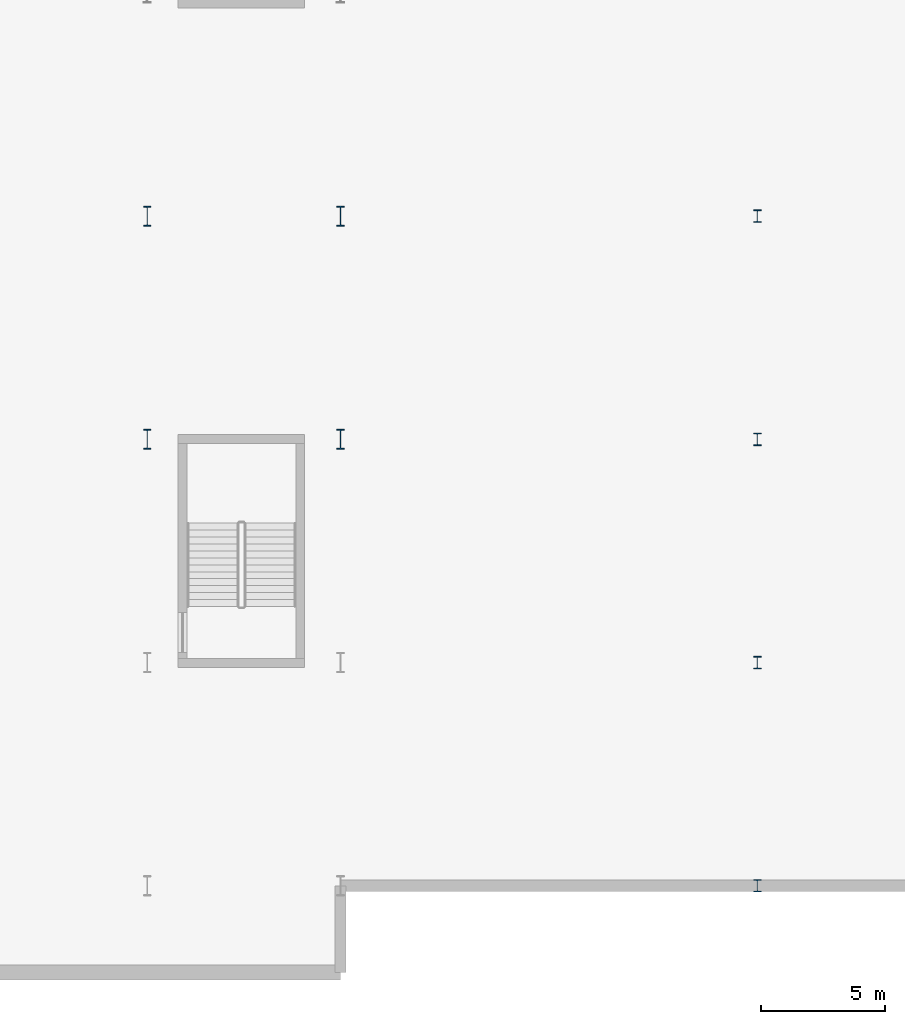
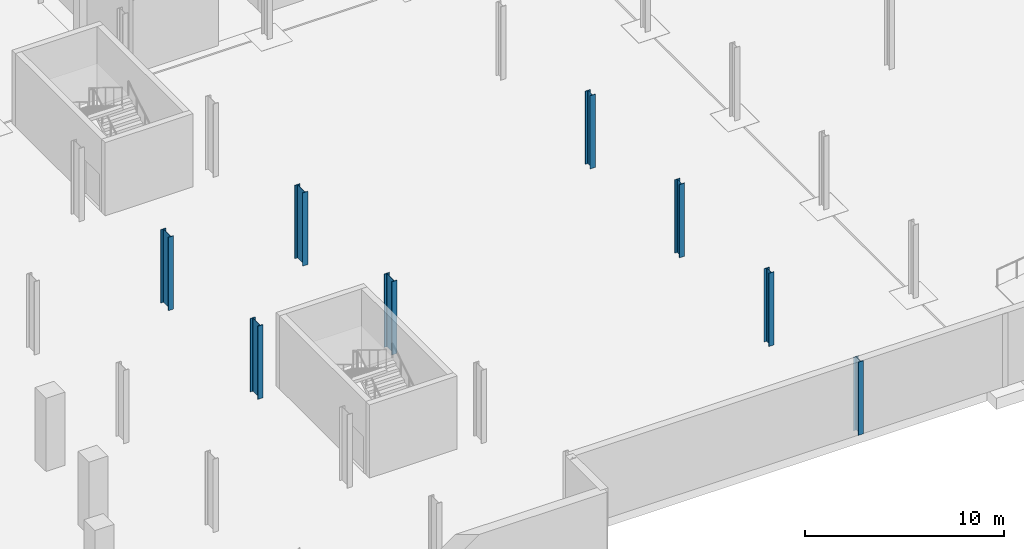
# One storey, part 8 of 45: 8 columns.
"""IFC4 building model written with IfcOpenShell, lengths in metres."""

from ifc_helpers import new_model, si_unit, direction, frame, origin, origin_2d, place, context, subcontext, project, spatial, i_section, extrude, material, material_profile, profile_set, type_object, element, save


model = new_model("IFC4")

# Units and contexts
model_context = context("Model", 3, precision=1e-05, world=origin(), true_north=direction((0.0, 1.0)))
body_context = subcontext(model_context, "Body", "Model", "MODEL_VIEW")
ifc_project = project(units=[si_unit("LENGTHUNIT", "METRE"), si_unit("AREAUNIT", "SQUARE_METRE"), si_unit("VOLUMEUNIT", "CUBIC_METRE"), si_unit("PLANEANGLEUNIT", "RADIAN"), si_unit("MASSUNIT", "GRAM", prefix="KILO")], contexts=[model_context])

# Site, building, storey
site_placement = place(None, origin())
site = spatial("IfcSite", under=ifc_project, at=site_placement, CompositionType="ELEMENT")
building_placement = place(site_placement, origin())
building = spatial("IfcBuilding", under=site, at=building_placement, Name="Sefraquen Railside Congress Hotel", CompositionType="ELEMENT")
storey_placement = place(building_placement, frame((0.0, 0.0, -4.5)))
storey = spatial("IfcBuildingStorey", under=building, at=storey_placement, Name="B01", CompositionType="ELEMENT", Elevation=-4.5)

# Columns
ifc_material = material(Name="Steel S355JR", Category="steel")
ifc_material_profile_1 = material_profile(ifc_material, i_section(OverallWidth=0.300048828125, OverallDepth=0.5, WebThickness=0.014404296875, FlangeThickness=0.028076171875, FilletRadius=0.027099609375, at=origin_2d()), Name="HEB 500")
ifc_profile_set_1 = profile_set([ifc_material_profile_1], Name="Steel S355JR")
column_type_1 = type_object("IfcColumnType", Name="TC-HEB-500", PredefinedType="COLUMN", material=ifc_profile_set_1)
for number, where, z_axis, x_axis, name in (
    (1, (120.0, 9.0, 0.0), (0.0, 0.0, 1.0), (1.0, 0.0, 0.0), "Structural column 16-B B01"),
    (2, (120.0, 18.0, 0.0), (0.0, 0.0, 1.0), (1.0, 0.0, 0.0), "Structural column 16-C B01"),
    (3, (120.0, 27.0, 0.0), (0.0, 0.0, 1.0), (1.0, 0.0, 0.0), "Structural column 16-D B01"),
    (4, (120.0, 36.0, 0.0), (0.0, 0.0, 1.0), (1.0, 0.0, 0.0), "Structural column 16-E B01"),
):
    element("IfcColumn", number, at=place(storey_placement, frame(where, z_axis=z_axis, x_axis=x_axis)), inside=storey, type_object=column_type_1, Name=name, PredefinedType="COLUMN", context=body_context, shape_type="SweptSolid", body=[
        extrude(i_section(OverallWidth=0.300048828125, OverallDepth=0.5, WebThickness=0.014404296875, FlangeThickness=0.028076171875, FilletRadius=0.027099609375, at=origin_2d()), origin(), (0.0, 0.0, 1.0), 4.5),
    ])
ifc_material_profile_2 = material_profile(ifc_material, i_section(OverallWidth=0.300048828125, OverallDepth=0.800048828125, WebThickness=0.017578125, FlangeThickness=0.032958984375, FilletRadius=0.030029296875, at=origin_2d()), Name="HEB 800")
ifc_profile_set_2 = profile_set([ifc_material_profile_2], Name="Steel S355JR")
column_type_2 = type_object("IfcColumnType", Name="TC-HEB-800", PredefinedType="COLUMN", material=ifc_profile_set_2)
for number, where, z_axis, x_axis, name in (
    (5, (95.39990234375, 27.0, 0.0), (0.0, 0.0, 1.0), (1.0, 0.0, 0.0), "Structural column 13-D B01"),
    (6, (95.39990234375, 36.0, 0.0), (0.0, 0.0, 1.0), (1.0, 0.0, 0.0), "Structural column 13-E B01"),
    (7, (103.199951171875, 27.0, 0.0), (0.0, 0.0, 1.0), (1.0, 0.0, 0.0), "Structural column 14-D B01"),
    (8, (103.199951171875, 36.0, 0.0), (0.0, 0.0, 1.0), (1.0, 0.0, 0.0), "Structural column 14-E B01"),
):
    element("IfcColumn", number, at=place(storey_placement, frame(where, z_axis=z_axis, x_axis=x_axis)), inside=storey, type_object=column_type_2, Name=name, PredefinedType="COLUMN", context=body_context, shape_type="SweptSolid", body=[
        extrude(i_section(OverallWidth=0.300048828125, OverallDepth=0.800048828125, WebThickness=0.017578125, FlangeThickness=0.032958984375, FilletRadius=0.030029296875, at=origin_2d()), origin(), (0.0, 0.0, 1.0), 4.5),
    ])

save(model, "model.ifc")
